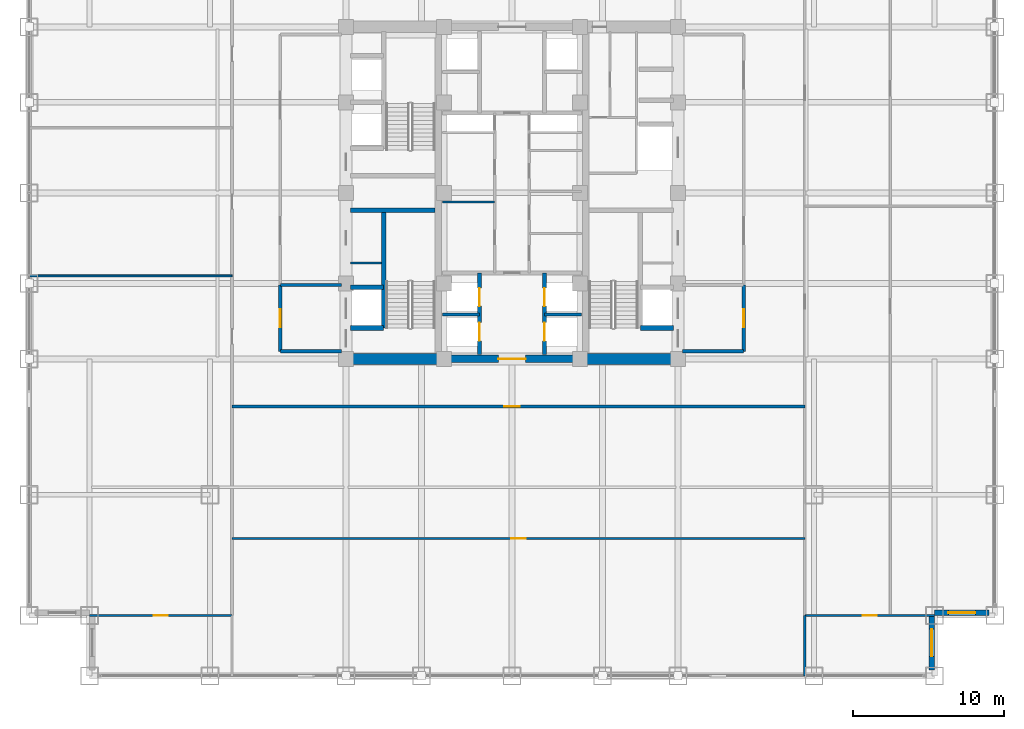
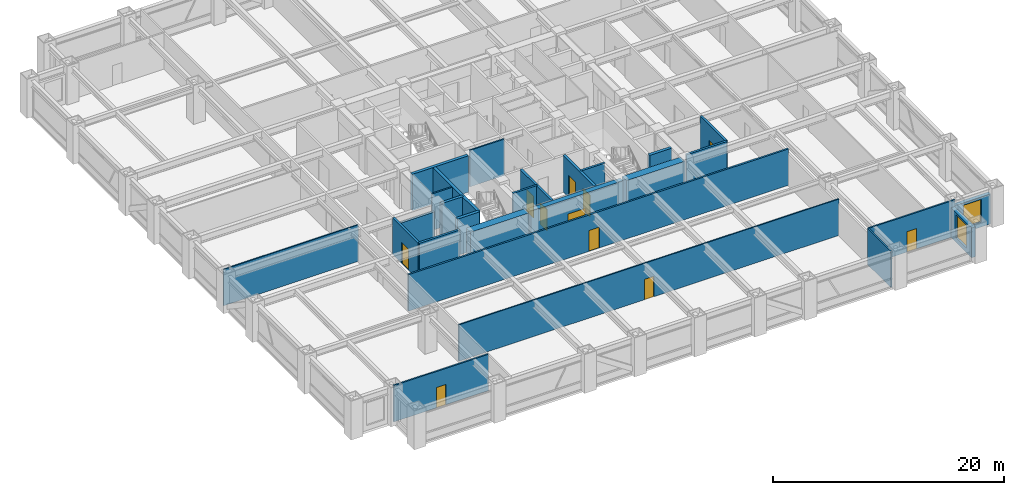
# One storey, part 23 of 28: 27 walls, 11 doors, 2 windows, 13 openings.
"""IFC4 building model written with IfcOpenShell, lengths in metres."""

from ifc_helpers import new_model, si_unit, direction, frame, frame_2d, origin, place, context, subcontext, project, spatial, rectangle, extrude, source, transform, mapped, material, layer, layer_set, type_object, element, fill, save


model = new_model("IFC4")

# Units and contexts
model_context = context("Model", 3, precision=1e-05, world=origin(), true_north=direction((0.0, 1.0)))
body_context = subcontext(model_context, "Body", "Model", "MODEL_VIEW")
ifc_project = project(units=[si_unit("LENGTHUNIT", "METRE"), si_unit("AREAUNIT", "SQUARE_METRE"), si_unit("VOLUMEUNIT", "CUBIC_METRE"), si_unit("PLANEANGLEUNIT", "RADIAN"), si_unit("MASSUNIT", "GRAM", prefix="KILO")], contexts=[model_context])

# Site, building, storey
site_placement = place(None, origin())
site = spatial("IfcSite", under=ifc_project, at=site_placement, CompositionType="ELEMENT")
building_placement = place(site_placement, origin())
building = spatial("IfcBuilding", under=site, at=building_placement, Name="Khorayat Bourse Tower", CompositionType="ELEMENT")
storey_placement = place(building_placement, frame((0.0, 0.0, 124.199951171875)))
storey = spatial("IfcBuildingStorey", under=building, at=storey_placement, Name="L28", CompositionType="ELEMENT", Elevation=124.199951171875)

# Walls
ifc_material_1 = material(Name="Concrete C72/90", Category="concrete")
ifc_layer_1 = layer(ifc_material_1, 0.75)
ifc_layer_set_1 = layer_set([ifc_layer_1], Name="Concrete C72/90")
wall_type_1 = type_object("IfcWallType", Name="WAL-CORE-750", PredefinedType="SHEAR", material=ifc_layer_set_1)
shared_shape_1 = source(origin(), body_context, "Body", "SweptSolid", [
    extrude(rectangle(XDim=5.849853515625, YDim=0.75, at=frame_2d((2.9248046875, 0.0))), origin(), (0.0, 0.0, 1.0), 3.840087890625),
])
for number, where, z_axis, x_axis, name in (
    (1, (-10.699951171875, -11.0, 0.0), (0.0, 0.0, 1.0), (1.0, 0.0, 0.0), "L28 Core Shear Wall PIER-WS"),
    (2, (4.85009765625, -11.0, 0.0), (0.0, 0.0, 1.0), (1.0, 0.0, 0.0), "L28 Core Shear Wall PIER-ES"),
):
    element("IfcWall", number, at=place(storey_placement, frame(where, z_axis=z_axis, x_axis=x_axis)), inside=storey, type_object=wall_type_1, Name=name, PredefinedType="SHEAR", context=body_context, shape_type="MappedRepresentation", body=[
        mapped(shared_shape_1, transform((0.0, 0.0, 0.0), scale=1.0)),
    ])
ifc_material_2 = material(Name="Concrete C50/60", Category="concrete")
ifc_layer_2 = layer(ifc_material_2, 0.300048828125)
ifc_layer_set_2 = layer_set([ifc_layer_2], Name="Concrete C50/60")
wall_type_2 = type_object("IfcWallType", Name="WAL-SHAFT-300", PredefinedType="SHEAR", material=ifc_layer_set_2)
shared_shape_2 = source(origin(), body_context, "Body", "SweptSolid", [
    extrude(rectangle(XDim=5.599853515625, YDim=0.300048828125, at=frame_2d((2.7998046875, 0.0))), origin(), (0.0, 0.0, 1.0), 3.840087890625),
])
wall_1_placement = place(storey_placement, frame((-10.699951171875, -1.14990234375, 0.0), z_axis=(0.0, 0.0, 1.0), x_axis=(1.0, 0.0, 0.0)))
element("IfcWall", 3, at=wall_1_placement, inside=storey, type_object=wall_type_2, Name="L28 Core Shear Wall ST1-DIV", PredefinedType="SHEAR", context=body_context, shape_type="MappedRepresentation", body=[
    mapped(shared_shape_2, transform((0.0, 0.0, 0.0), scale=1.0)),
])

# Wall, opening, door
ifc_material_3 = material(Name="Concrete C52/65", Category="concrete")
ifc_layer_3 = layer(ifc_material_3, 0.5)
ifc_layer_set_3 = layer_set([ifc_layer_3], Name="Concrete C52/65")
wall_type_3 = type_object("IfcWallType", Name="WAL-CORE-500", PredefinedType="SHEAR", material=ifc_layer_set_3)
shared_shape_3 = source(origin(), body_context, "Body", "SweptSolid", [
    extrude(rectangle(XDim=9.2001953125, YDim=0.5, at=frame_2d((4.60009765625, 0.0))), origin(), (0.0, 0.0, 1.0), 3.840087890625),
])
wall_2_placement = place(storey_placement, frame((-4.60009765625, -11.0, 0.0), z_axis=(0.0, 0.0, 1.0), x_axis=(1.0, 0.0, 0.0)))
wall_2 = element("IfcWall", 4, at=wall_2_placement, inside=storey, type_object=wall_type_3, Name="L28 Core Shear Wall CORE-S", PredefinedType="SHEAR", context=body_context, shape_type="MappedRepresentation", body=[
    mapped(shared_shape_3, transform((0.0, 0.0, 0.0), scale=1.0)),
])
shared_shape_4 = source(origin(), body_context, "Body", "SweptSolid", [
    extrude(rectangle(XDim=1.800048828125, YDim=2.25, at=frame_2d((0.89990234375, 1.125))), frame((0.0, 0.260009765625, 0.0), z_axis=(0.0, -1.0, 0.0), x_axis=(1.0, 0.0, 0.0)), (0.0, 0.0, 1.0), 0.52001953125),
])
opening_1_placement = place(wall_2_placement, frame((3.699951171875, 0.0, 0.0)))
opening_1 = element("IfcOpeningElement", 5, at=opening_1_placement, cuts=wall_2, Name="Opening DI-03", PredefinedType="OPENING", context=body_context, shape_type="MappedRepresentation", body=[
    mapped(shared_shape_4, transform((0.0, 0.0, 0.0), scale=1.0)),
])
ifc_material_4 = material(Name="Fire-rated hardwood vision-panel double leaf", Category="wood")
door_type_1 = type_object("IfcDoorType", Name="DR-INT-CORR-1800", OperationType="NOTDEFINED", PredefinedType="DOOR", material=ifc_material_4)
shared_shape_5 = source(origin(), body_context, "Body", "SweptSolid", [
    extrude(rectangle(XDim=1.800048828125, YDim=2.25, at=frame_2d((0.89990234375, 1.125))), frame((0.0, 0.02490234375, 0.0), z_axis=(0.0, -1.0, 0.0), x_axis=(1.0, 0.0, 0.0)), (0.0, 0.0, 1.0), 0.050048828125),
])
door_1_placement = place(opening_1_placement, origin())
door_1 = element("IfcDoor", 6, at=door_1_placement, inside=storey, type_object=door_type_1, Name="L28 Low-Rise Lift Lobby Door", OperationType="SINGLE_SWING_LEFT", OverallHeight=2.25, OverallWidth=1.800048828125, PredefinedType="DOOR", context=body_context, shape_type="MappedRepresentation", body=[
    mapped(shared_shape_5, transform((0.0, 0.0, 0.0), scale=1.0)),
])
fill(opening_1, door_1)

# Wall, opening, window
ifc_material_5 = material(Name="Precast concrete C45/55", Category="concrete")
ifc_layer_4 = layer(ifc_material_5, 0.3798828125)
ifc_layer_set_4 = layer_set([ifc_layer_4], Name="Precast concrete C45/55")
wall_type_4 = type_object("IfcWallType", Name="WAL-EXT-STONE-380", PredefinedType="STANDARD", material=ifc_layer_set_4)
shared_shape_6 = source(origin(), body_context, "Body", "SweptSolid", [
    extrude(rectangle(XDim=3.6201171875, YDim=0.3798828125, at=frame_2d((1.81005859375, 0.0))), origin(), (0.0, 0.0, 1.0), 3.14501953125),
])
wall_3_placement = place(storey_placement, frame((27.81005859375, -31.6201171875, 0.0), z_axis=(0.0, 0.0, 1.0), x_axis=(0.0, 1.0, 0.0)))
wall_3 = element("IfcWall", 7, at=wall_3_placement, inside=storey, type_object=wall_type_4, Name="L28 Re-Entrant Notch Limestone Wall SE-V", PredefinedType="STANDARD", context=body_context, shape_type="MappedRepresentation", body=[
    mapped(shared_shape_6, transform((0.0, 0.0, 0.0), scale=1.0)),
])
shared_shape_7 = source(origin(), body_context, "Body", "SweptSolid", [
    extrude(rectangle(XDim=1.800048828125, YDim=2.39990234375, at=frame_2d((0.89990234375, 1.199951171875))), frame((0.0, 0.199951171875, 0.0), z_axis=(0.0, -1.0, 0.0), x_axis=(1.0, 0.0, 0.0)), (0.0, 0.0, 1.0), 0.39990234375),
])
opening_2_placement = place(wall_3_placement, frame((0.909912109375, 0.0, 0.5)))
opening_2 = element("IfcOpeningElement", 8, at=opening_2_placement, cuts=wall_3, Name="Opening WN-04", PredefinedType="OPENING", context=body_context, shape_type="MappedRepresentation", body=[
    mapped(shared_shape_7, transform((0.0, 0.0, 0.0), scale=1.0)),
])
ifc_material_6 = material(Name="Low-E acoustic laminated double glazing", Category="glass")
window_type = type_object("IfcWindowType", Name="WIN-NOTCH-1800x2400", PartitioningType="SINGLE_PANEL", PredefinedType="WINDOW", material=ifc_material_6)
shared_shape_8 = source(origin(), body_context, "Body", "SweptSolid", [
    extrude(rectangle(XDim=1.800048828125, YDim=2.39990234375, at=frame_2d((0.89990234375, 1.199951171875))), frame((0.0, 0.030029296875, 0.0), z_axis=(0.0, -1.0, 0.0), x_axis=(1.0, 0.0, 0.0)), (0.0, 0.0, 1.0), 0.06005859375),
])
window_1_placement = place(opening_2_placement, origin())
window_1 = element("IfcWindow", 9, at=window_1_placement, inside=storey, type_object=window_type, Name="L28 Facade Window 1", OverallHeight=2.39990234375, OverallWidth=1.800048828125, PartitioningType="SINGLE_PANEL", PredefinedType="WINDOW", context=body_context, shape_type="MappedRepresentation", body=[
    mapped(shared_shape_8, transform((0.0, 0.0, 0.0), scale=1.0)),
])
fill(opening_2, window_1)

wall_4_placement = place(storey_placement, frame((28.0, -27.81005859375, 0.0), z_axis=(0.0, 0.0, 1.0), x_axis=(1.0, 0.0, 0.0)))
wall_4 = element("IfcWall", 10, at=wall_4_placement, inside=storey, type_object=wall_type_4, Name="L28 Re-Entrant Notch Limestone Wall SE-H", PredefinedType="STANDARD", context=body_context, shape_type="MappedRepresentation", body=[
    mapped(shared_shape_6, transform((0.0, 0.0, 0.0), scale=1.0)),
])
opening_3_placement = place(wall_4_placement, frame((0.909912109375, 0.0, 0.5)))
opening_3 = element("IfcOpeningElement", 11, at=opening_3_placement, cuts=wall_4, Name="Opening WN-04", PredefinedType="OPENING", context=body_context, shape_type="MappedRepresentation", body=[
    mapped(shared_shape_7, transform((0.0, 0.0, 0.0), scale=1.0)),
])
window_2_placement = place(opening_3_placement, origin())
window_2 = element("IfcWindow", 12, at=window_2_placement, inside=storey, type_object=window_type, Name="L28 Facade Window 1", OverallHeight=2.39990234375, OverallWidth=1.800048828125, PartitioningType="SINGLE_PANEL", PredefinedType="WINDOW", context=body_context, shape_type="MappedRepresentation", body=[
    mapped(shared_shape_8, transform((0.0, 0.0, 0.0), scale=1.0)),
])
fill(opening_3, window_2)

# Walls
shared_shape_9 = source(origin(), body_context, "Body", "SweptSolid", [
    extrude(rectangle(XDim=7.800048828125, YDim=0.300048828125, at=frame_2d((3.89990234375, 0.0))), origin(), (0.0, 0.0, 1.0), 3.840087890625),
])
wall_5_placement = place(storey_placement, frame((-8.5, -8.949951171875, 0.0), z_axis=(0.0, 0.0, 1.0), x_axis=(0.0, 1.0, 0.0)))
element("IfcWall", 13, at=wall_5_placement, inside=storey, type_object=wall_type_2, Name="L28 Partition WAL-L28-WPIER-SP", PredefinedType="SHEAR", context=body_context, shape_type="MappedRepresentation", body=[
    mapped(shared_shape_9, transform((0.0, 0.0, 0.0), scale=1.0)),
])
shared_shape_10 = source(origin(), body_context, "Body", "SweptSolid", [
    extrude(rectangle(XDim=2.199951171875, YDim=0.300048828125, at=frame_2d((1.10009765625, 0.0))), origin(), (0.0, 0.0, 1.0), 3.840087890625),
])
for number, where, z_axis, x_axis, name in (
    (14, (-10.699951171875, -8.949951171875, 0.0), (0.0, 0.0, 1.0), (1.0, 0.0, 0.0), "L28 Partition WAL-L28-WPIER-FF1S"),
    (15, (-10.699951171875, -6.25, 0.0), (0.0, 0.0, 1.0), (1.0, 0.0, 0.0), "L28 Partition WAL-L28-WPIER-FF1N"),
    (16, (8.5, -8.949951171875, 0.0), (0.0, 0.0, 1.0), (1.0, 0.0, 0.0), "L28 Partition WAL-L28-EPIER-FF2S"),
):
    element("IfcWall", number, at=place(storey_placement, frame(where, z_axis=z_axis, x_axis=x_axis)), inside=storey, type_object=wall_type_2, Name=name, PredefinedType="SHEAR", context=body_context, shape_type="MappedRepresentation", body=[
        mapped(shared_shape_10, transform((0.0, 0.0, 0.0), scale=1.0)),
    ])
ifc_material_7 = material(Name="Gypsum plasterboard twin-frame partition")
ifc_layer_5 = layer(ifc_material_7, 0.14990234375)
ifc_layer_set_5 = layer_set([ifc_layer_5], Name="Gypsum plasterboard twin-frame partition")
wall_type_5 = type_object("IfcWallType", Name="WAL-PART-SUITE-150", PredefinedType="PARTITIONING", material=ifc_layer_set_5)
shared_shape_11 = source(origin(), body_context, "Body", "SweptSolid", [
    extrude(rectangle(XDim=2.050048828125, YDim=0.14990234375, at=frame_2d((1.02490234375, 0.0))), origin(), (0.0, 0.0, 1.0), 3.840087890625),
])
wall_6_placement = place(storey_placement, frame((-10.699951171875, -4.64990234375, 0.0), z_axis=(0.0, 0.0, 1.0), x_axis=(1.0, 0.0, 0.0)))
element("IfcWall", 17, at=wall_6_placement, inside=storey, type_object=wall_type_5, Name="L28 Partition WAL-L28-WSRV-S0", PredefinedType="PARTITIONING", context=body_context, shape_type="MappedRepresentation", body=[
    mapped(shared_shape_11, transform((0.0, 0.0, 0.0), scale=1.0)),
])
ifc_material_8 = material(Name="Aerated concrete blockwork", Category="masonry")
ifc_layer_6 = layer(ifc_material_8, 0.219970703125)
ifc_layer_set_6 = layer_set([ifc_layer_6], Name="Aerated concrete blockwork")
wall_type_6 = type_object("IfcWallType", Name="WAL-PART-FF-220", PredefinedType="PARTITIONING", material=ifc_layer_set_6)
shared_shape_12 = source(origin(), body_context, "Body", "SweptSolid", [
    extrude(rectangle(XDim=4.050048828125, YDim=0.219970703125, at=frame_2d((2.02490234375, 0.0))), origin(), (0.0, 0.0, 1.0), 3.840087890625),
])
for number, where, z_axis, x_axis, name in (
    (18, (-15.35009765625, -10.5, 0.0), (0.0, 0.0, 1.0), (1.0, 0.0, 0.0), "L28 Partition WAL-L28-FFLW-S"),
    (19, (11.300048828125, -10.5, 0.0), (0.0, 0.0, 1.0), (1.0, 0.0, 0.0), "L28 Partition WAL-L28-FFLE-S"),
):
    element("IfcWall", number, at=place(storey_placement, frame(where, z_axis=z_axis, x_axis=x_axis)), inside=storey, type_object=wall_type_6, Name=name, PredefinedType="PARTITIONING", context=body_context, shape_type="MappedRepresentation", body=[
        mapped(shared_shape_12, transform((0.0, 0.0, 0.0), scale=1.0)),
    ])
shared_shape_13 = source(origin(), body_context, "Body", "SweptSolid", [
    extrude(rectangle(XDim=4.050048828125, YDim=0.219970703125, at=frame_2d((2.02490234375, 0.0))), origin(), (0.0, 0.0, 1.0), 3.067138671875),
])
wall_7_placement = place(storey_placement, frame((-15.35009765625, -6.10009765625, 0.0), z_axis=(0.0, 0.0, 1.0), x_axis=(1.0, 0.0, 0.0)))
element("IfcWall", 20, at=wall_7_placement, inside=storey, type_object=wall_type_6, Name="L28 Partition WAL-L28-FFLW-N", PredefinedType="PARTITIONING", context=body_context, shape_type="MappedRepresentation", body=[
    mapped(shared_shape_13, transform((0.0, 0.0, 0.0), scale=1.0)),
])

# Wall, opening, door
shared_shape_14 = source(origin(), body_context, "Body", "SweptSolid", [
    extrude(rectangle(XDim=4.39990234375, YDim=0.219970703125, at=frame_2d((2.199951171875, 0.0))), origin(), (0.0, 0.0, 1.0), 3.840087890625),
])
wall_8_placement = place(storey_placement, frame((-15.35009765625, -10.5, 0.0), z_axis=(0.0, 0.0, 1.0), x_axis=(0.0, 1.0, 0.0)))
wall_8 = element("IfcWall", 21, at=wall_8_placement, inside=storey, type_object=wall_type_6, Name="L28 Partition WAL-L28-FFLW-W", PredefinedType="PARTITIONING", context=body_context, shape_type="MappedRepresentation", body=[
    mapped(shared_shape_14, transform((0.0, 0.0, 0.0), scale=1.0)),
])
shared_shape_15 = source(origin(), body_context, "Body", "SweptSolid", [
    extrude(rectangle(XDim=1.199951171875, YDim=2.199951171875, at=frame_2d((0.60009765625, 1.10009765625))), frame((0.0, 0.119873046875, 0.0), z_axis=(0.0, -1.0, 0.0), x_axis=(1.0, 0.0, 0.0)), (0.0, 0.0, 1.0), 0.239990234375),
])
opening_4_placement = place(wall_8_placement, frame((1.60009765625, 0.0, 0.0)))
opening_4 = element("IfcOpeningElement", 22, at=opening_4_placement, cuts=wall_8, Name="Opening DI-02", PredefinedType="OPENING", context=body_context, shape_type="MappedRepresentation", body=[
    mapped(shared_shape_15, transform((0.0, 0.0, 0.0), scale=1.0)),
])
ifc_material_9 = material(Name="Fire-rated steel double-seal leaf", Category="steel")
door_type_2 = type_object("IfcDoorType", Name="DR-INT-FFLOBBY-1200", OperationType="NOTDEFINED", PredefinedType="DOOR", material=ifc_material_9)
shared_shape_16 = source(origin(), body_context, "Body", "SweptSolid", [
    extrude(rectangle(XDim=1.199951171875, YDim=2.199951171875, at=frame_2d((0.60009765625, 1.10009765625))), frame((0.0, 0.02490234375, 0.0), z_axis=(0.0, -1.0, 0.0), x_axis=(1.0, 0.0, 0.0)), (0.0, 0.0, 1.0), 0.050048828125),
])
door_2_placement = place(opening_4_placement, origin())
door_2 = element("IfcDoor", 23, at=door_2_placement, inside=storey, type_object=door_type_2, Name="L28 West Firefighting Lobby Door", OperationType="SINGLE_SWING_LEFT", OverallHeight=2.199951171875, OverallWidth=1.199951171875, PredefinedType="DOOR", context=body_context, shape_type="MappedRepresentation", body=[
    mapped(shared_shape_16, transform((0.0, 0.0, 0.0), scale=1.0)),
])
fill(opening_4, door_2)

wall_9_placement = place(storey_placement, frame((15.35009765625, -10.5, 0.0), z_axis=(0.0, 0.0, 1.0), x_axis=(0.0, 1.0, 0.0)))
wall_9 = element("IfcWall", 24, at=wall_9_placement, inside=storey, type_object=wall_type_6, Name="L28 Partition WAL-L28-FFLE-E", PredefinedType="PARTITIONING", context=body_context, shape_type="MappedRepresentation", body=[
    mapped(shared_shape_14, transform((0.0, 0.0, 0.0), scale=1.0)),
])
opening_5_placement = place(wall_9_placement, frame((1.60009765625, 0.0, 0.0)))
opening_5 = element("IfcOpeningElement", 25, at=opening_5_placement, cuts=wall_9, Name="Opening DI-02", PredefinedType="OPENING", context=body_context, shape_type="MappedRepresentation", body=[
    mapped(shared_shape_15, transform((0.0, 0.0, 0.0), scale=1.0)),
])
door_3_placement = place(opening_5_placement, origin())
door_3 = element("IfcDoor", 26, at=door_3_placement, inside=storey, type_object=door_type_2, Name="L28 East Firefighting Lobby Door", OperationType="SINGLE_SWING_RIGHT", OverallHeight=2.199951171875, OverallWidth=1.199951171875, PredefinedType="DOOR", context=body_context, shape_type="MappedRepresentation", body=[
    mapped(shared_shape_16, transform((0.0, 0.0, 0.0), scale=1.0)),
])
fill(opening_5, door_3)

# Wall, openings, doors
shared_shape_17 = source(origin(), body_context, "Body", "SweptSolid", [
    extrude(rectangle(XDim=5.39990234375, YDim=0.25, at=frame_2d((2.699951171875, 0.0))), origin(), (0.0, 0.0, 1.0), 3.840087890625),
])
wall_10_placement = place(storey_placement, frame((-2.14990234375, -10.699951171875, 0.0), z_axis=(0.0, 0.0, 1.0), x_axis=(0.0, 1.0, 0.0)))
wall_10 = element("IfcWall", 27, at=wall_10_placement, inside=storey, type_object=wall_type_2, Name="L28 Partition WAL-L28-B1-W", PredefinedType="SHEAR", context=body_context, shape_type="MappedRepresentation", body=[
    mapped(shared_shape_17, transform((0.0, 0.0, 0.0), scale=1.0)),
])
shared_shape_18 = source(origin(), body_context, "Body", "SweptSolid", [
    extrude(rectangle(XDim=1.199951171875, YDim=2.300048828125, at=frame_2d((0.60009765625, 1.14990234375))), frame((0.0, 0.135009765625, 0.0), z_axis=(0.0, -1.0, 0.0), x_axis=(1.0, 0.0, 0.0)), (0.0, 0.0, 1.0), 0.27001953125),
])
opening_6_placement = place(wall_10_placement, frame((0.89990234375, 0.0, 0.0)))
opening_6 = element("IfcOpeningElement", 28, at=opening_6_placement, cuts=wall_10, Name="Opening LD-01", PredefinedType="OPENING", context=body_context, shape_type="MappedRepresentation", body=[
    mapped(shared_shape_18, transform((0.0, 0.0, 0.0), scale=1.0)),
])
opening_7_placement = place(wall_10_placement, frame((3.199951171875, 0.0, 0.0)))
opening_7 = element("IfcOpeningElement", 29, at=opening_7_placement, cuts=wall_10, Name="Opening LD-01", PredefinedType="OPENING", context=body_context, shape_type="MappedRepresentation", body=[
    mapped(shared_shape_18, transform((0.0, 0.0, 0.0), scale=1.0)),
])
ifc_material_10 = material(Name="Brushed bronze stainless-steel sliding door", Category="steel")
door_type_3 = type_object("IfcDoorType", Name="DR-LIFT-PASS-1200", OperationType="NOTDEFINED", PredefinedType="DOOR", material=ifc_material_10)
shared_shape_19 = source(origin(), body_context, "Body", "SweptSolid", [
    extrude(rectangle(XDim=1.199951171875, YDim=2.300048828125, at=frame_2d((0.60009765625, 1.14990234375))), frame((0.0, 0.02490234375, 0.0), z_axis=(0.0, -1.0, 0.0), x_axis=(1.0, 0.0, 0.0)), (0.0, 0.0, 1.0), 0.050048828125),
])
door_4_placement = place(opening_6_placement, origin())
door_4 = element("IfcDoor", 30, at=door_4_placement, inside=storey, type_object=door_type_3, Name="L28 Lift PL-L1 Sliding Landing Door", OperationType="SLIDING_TO_LEFT", OverallHeight=2.300048828125, OverallWidth=1.199951171875, PredefinedType="DOOR", context=body_context, shape_type="MappedRepresentation", body=[
    mapped(shared_shape_19, transform((0.0, 0.0, 0.0), scale=1.0)),
])
fill(opening_6, door_4)
door_5_placement = place(opening_7_placement, origin())
door_5 = element("IfcDoor", 31, at=door_5_placement, inside=storey, type_object=door_type_3, Name="L28 Lift PL-L3 Sliding Landing Door", OperationType="SLIDING_TO_LEFT", OverallHeight=2.300048828125, OverallWidth=1.199951171875, PredefinedType="DOOR", context=body_context, shape_type="MappedRepresentation", body=[
    mapped(shared_shape_19, transform((0.0, 0.0, 0.0), scale=1.0)),
])
fill(opening_7, door_5)

wall_11_placement = place(storey_placement, frame((2.14990234375, -10.699951171875, 0.0), z_axis=(0.0, 0.0, 1.0), x_axis=(0.0, 1.0, 0.0)))
wall_11 = element("IfcWall", 32, at=wall_11_placement, inside=storey, type_object=wall_type_2, Name="L28 Partition WAL-L28-B1-E", PredefinedType="SHEAR", context=body_context, shape_type="MappedRepresentation", body=[
    mapped(shared_shape_17, transform((0.0, 0.0, 0.0), scale=1.0)),
])
opening_8_placement = place(wall_11_placement, frame((0.89990234375, 0.0, 0.0)))
opening_8 = element("IfcOpeningElement", 33, at=opening_8_placement, cuts=wall_11, Name="Opening LD-01", PredefinedType="OPENING", context=body_context, shape_type="MappedRepresentation", body=[
    mapped(shared_shape_18, transform((0.0, 0.0, 0.0), scale=1.0)),
])
opening_9_placement = place(wall_11_placement, frame((3.199951171875, 0.0, 0.0)))
opening_9 = element("IfcOpeningElement", 34, at=opening_9_placement, cuts=wall_11, Name="Opening LD-01", PredefinedType="OPENING", context=body_context, shape_type="MappedRepresentation", body=[
    mapped(shared_shape_18, transform((0.0, 0.0, 0.0), scale=1.0)),
])
door_6_placement = place(opening_8_placement, origin())
door_6 = element("IfcDoor", 35, at=door_6_placement, inside=storey, type_object=door_type_3, Name="L28 Lift PL-L2 Sliding Landing Door", OperationType="SLIDING_TO_LEFT", OverallHeight=2.300048828125, OverallWidth=1.199951171875, PredefinedType="DOOR", context=body_context, shape_type="MappedRepresentation", body=[
    mapped(shared_shape_19, transform((0.0, 0.0, 0.0), scale=1.0)),
])
fill(opening_8, door_6)
door_7_placement = place(opening_9_placement, origin())
door_7 = element("IfcDoor", 36, at=door_7_placement, inside=storey, type_object=door_type_3, Name="L28 Lift PL-L4 Sliding Landing Door", OperationType="SLIDING_TO_LEFT", OverallHeight=2.300048828125, OverallWidth=1.199951171875, PredefinedType="DOOR", context=body_context, shape_type="MappedRepresentation", body=[
    mapped(shared_shape_19, transform((0.0, 0.0, 0.0), scale=1.0)),
])
fill(opening_9, door_7)

# Walls
shared_shape_20 = source(origin(), body_context, "Body", "SweptSolid", [
    extrude(rectangle(XDim=2.4501953125, YDim=0.199951171875, at=frame_2d((1.22509765625, 0.0))), origin(), (0.0, 0.0, 1.0), 3.840087890625),
])
for number, where, z_axis, x_axis, name in (
    (37, (-4.60009765625, -8.050048828125, 0.0), (0.0, 0.0, 1.0), (1.0, 0.0, 0.0), "L28 Partition WAL-L28-B1-MW"),
    (38, (2.14990234375, -8.050048828125, 0.0), (0.0, 0.0, 1.0), (1.0, 0.0, 0.0), "L28 Partition WAL-L28-B1-ME"),
):
    element("IfcWall", number, at=place(storey_placement, frame(where, z_axis=z_axis, x_axis=x_axis)), inside=storey, type_object=wall_type_2, Name=name, PredefinedType="SHEAR", context=body_context, shape_type="MappedRepresentation", body=[
        mapped(shared_shape_20, transform((0.0, 0.0, 0.0), scale=1.0)),
    ])
ifc_material_11 = material(Name="Moisture-resistant masonry partition", Category="masonry")
ifc_layer_7 = layer(ifc_material_11, 0.139892578125)
ifc_layer_set_7 = layer_set([ifc_layer_7], Name="Moisture-resistant masonry partition")
wall_type_7 = type_object("IfcWallType", Name="WAL-PART-WET-140", PredefinedType="PARTITIONING", material=ifc_layer_set_7)
shared_shape_21 = source(origin(), body_context, "Body", "SweptSolid", [
    extrude(rectangle(XDim=3.4501953125, YDim=0.139892578125, at=frame_2d((1.72509765625, 0.0))), origin(), (0.0, 0.0, 1.0), 3.840087890625),
])
wall_12_placement = place(storey_placement, frame((-4.60009765625, -0.60009765625, 0.0), z_axis=(0.0, 0.0, 1.0), x_axis=(1.0, 0.0, 0.0)))
element("IfcWall", 39, at=wall_12_placement, inside=storey, type_object=wall_type_7, Name="L28 Partition WAL-L28-CMW-D1", PredefinedType="PARTITIONING", context=body_context, shape_type="MappedRepresentation", body=[
    mapped(shared_shape_21, transform((0.0, 0.0, 0.0), scale=1.0)),
])
shared_shape_22 = source(origin(), body_context, "Body", "SweptSolid", [
    extrude(rectangle(XDim=4.0, YDim=0.14990234375, at=frame_2d((2.0, 0.0))), origin(), (0.0, 0.0, 1.0), 3.840087890625),
])
wall_13_placement = place(storey_placement, frame((19.39990234375, -32.0, 0.0), z_axis=(0.0, 0.0, 1.0), x_axis=(0.0, 1.0, 0.0)))
element("IfcWall", 40, at=wall_13_placement, inside=storey, type_object=wall_type_5, Name="L28 Partition WAL-L28-SCE-END", PredefinedType="PARTITIONING", context=body_context, shape_type="MappedRepresentation", body=[
    mapped(shared_shape_22, transform((0.0, 0.0, 0.0), scale=1.0)),
])

# Wall, opening, door
shared_shape_23 = source(origin(), body_context, "Body", "SweptSolid", [
    extrude(rectangle(XDim=8.60009765625, YDim=0.14990234375, at=frame_2d((4.300048828125, 0.0))), origin(), (0.0, 0.0, 1.0), 3.840087890625),
])
wall_14_placement = place(storey_placement, frame((19.39990234375, -28.0, 0.0), z_axis=(0.0, 0.0, 1.0), x_axis=(1.0, 0.0, 0.0)))
wall_14 = element("IfcWall", 41, at=wall_14_placement, inside=storey, type_object=wall_type_5, Name="L28 Partition WAL-L28-CSE", PredefinedType="PARTITIONING", context=body_context, shape_type="MappedRepresentation", body=[
    mapped(shared_shape_23, transform((0.0, 0.0, 0.0), scale=1.0)),
])
shared_shape_24 = source(origin(), body_context, "Body", "SweptSolid", [
    extrude(rectangle(XDim=0.949951171875, YDim=2.14990234375, at=frame_2d((0.47509765625, 1.074951171875))), frame((0.0, 0.0849609375, 0.0), z_axis=(0.0, -1.0, 0.0), x_axis=(1.0, 0.0, 0.0)), (0.0, 0.0, 1.0), 0.169921875),
])
opening_10_placement = place(wall_14_placement, frame((3.824951171875, 0.0, 0.0)))
opening_10 = element("IfcOpeningElement", 42, at=opening_10_placement, cuts=wall_14, Name="Opening DI-05", PredefinedType="OPENING", context=body_context, shape_type="MappedRepresentation", body=[
    mapped(shared_shape_24, transform((0.0, 0.0, 0.0), scale=1.0)),
])
ifc_material_12 = material(Name="Acoustic oak veneer office door")
door_type_4 = type_object("IfcDoorType", Name="DR-INT-OFFICE-950", OperationType="NOTDEFINED", PredefinedType="DOOR", material=ifc_material_12)
shared_shape_25 = source(origin(), body_context, "Body", "SweptSolid", [
    extrude(rectangle(XDim=0.949951171875, YDim=2.14990234375, at=frame_2d((0.47509765625, 1.074951171875))), frame((0.0, 0.02490234375, 0.0), z_axis=(0.0, -1.0, 0.0), x_axis=(1.0, 0.0, 0.0)), (0.0, 0.0, 1.0), 0.050048828125),
])
door_8_placement = place(opening_10_placement, origin())
door_8 = element("IfcDoor", 43, at=door_8_placement, inside=storey, type_object=door_type_4, Name="L28 South-East Corner Briefing Room Door", OperationType="SINGLE_SWING_LEFT", OverallHeight=2.14990234375, OverallWidth=0.949951171875, PredefinedType="DOOR", context=body_context, shape_type="MappedRepresentation", body=[
    mapped(shared_shape_25, transform((0.0, 0.0, 0.0), scale=1.0)),
])
fill(opening_10, door_8)

# Wall
ifc_material_13 = material(Name="Gypsum plasterboard partition")
ifc_layer_8 = layer(ifc_material_13, 0.125)
ifc_layer_set_8 = layer_set([ifc_layer_8], Name="Gypsum plasterboard partition")
wall_type_8 = type_object("IfcWallType", Name="WAL-PART-ROOM-125", PredefinedType="PARTITIONING", material=ifc_layer_set_8)
shared_shape_26 = source(origin(), body_context, "Body", "SweptSolid", [
    extrude(rectangle(XDim=13.449951171875, YDim=0.125, at=frame_2d((6.72509765625, 0.0))), origin(), (0.0, 0.0, 1.0), 3.840087890625),
])
wall_15_placement = place(storey_placement, frame((-32.0, -5.4951171875, 0.0), z_axis=(0.0, 0.0, 1.0), x_axis=(1.0, 0.0, 0.0)))
element("IfcWall", 44, at=wall_15_placement, inside=storey, type_object=wall_type_8, Name="L28 Partition WAL-L28-WDV-1", PredefinedType="PARTITIONING", context=body_context, shape_type="MappedRepresentation", body=[
    mapped(shared_shape_26, transform((0.0, 0.0, 0.0), scale=1.0)),
])

# Wall, opening, door
shared_shape_27 = source(origin(), body_context, "Body", "SweptSolid", [
    extrude(rectangle(XDim=9.449951171875, YDim=0.14990234375, at=frame_2d((4.72509765625, 0.0))), origin(), (0.0, 0.0, 1.0), 3.840087890625),
])
wall_16_placement = place(storey_placement, frame((-28.0, -28.0, 0.0), z_axis=(0.0, 0.0, 1.0), x_axis=(1.0, 0.0, 0.0)))
wall_16 = element("IfcWall", 45, at=wall_16_placement, inside=storey, type_object=wall_type_5, Name="L28 Partition WAL-L28-CSW", PredefinedType="PARTITIONING", context=body_context, shape_type="MappedRepresentation", body=[
    mapped(shared_shape_27, transform((0.0, 0.0, 0.0), scale=1.0)),
])
opening_11_placement = place(wall_16_placement, frame((4.25, 0.0, 0.0)))
opening_11 = element("IfcOpeningElement", 46, at=opening_11_placement, cuts=wall_16, Name="Opening DI-05", PredefinedType="OPENING", context=body_context, shape_type="MappedRepresentation", body=[
    mapped(shared_shape_24, transform((0.0, 0.0, 0.0), scale=1.0)),
])
door_9_placement = place(opening_11_placement, origin())
door_9 = element("IfcDoor", 47, at=door_9_placement, inside=storey, type_object=door_type_4, Name="L28 South-West Corner Office Door", OperationType="SINGLE_SWING_LEFT", OverallHeight=2.14990234375, OverallWidth=0.949951171875, PredefinedType="DOOR", context=body_context, shape_type="MappedRepresentation", body=[
    mapped(shared_shape_25, transform((0.0, 0.0, 0.0), scale=1.0)),
])
fill(opening_11, door_9)

shared_shape_28 = source(origin(), body_context, "Body", "SweptSolid", [
    extrude(rectangle(XDim=37.949951171875, YDim=0.125, at=frame_2d((18.97509765625, 0.0))), origin(), (0.0, 0.0, 1.0), 3.840087890625),
])
wall_17_placement = place(storey_placement, frame((-18.550048828125, -22.896484375, 0.0), z_axis=(0.0, 0.0, 1.0), x_axis=(1.0, 0.0, 0.0)))
wall_17 = element("IfcWall", 48, at=wall_17_placement, inside=storey, type_object=wall_type_8, Name="L28 Partition WAL-L28-SDP-1", PredefinedType="PARTITIONING", context=body_context, shape_type="MappedRepresentation", body=[
    mapped(shared_shape_28, transform((0.0, 0.0, 0.0), scale=1.0)),
])
shared_shape_29 = source(origin(), body_context, "Body", "SweptSolid", [
    extrude(rectangle(XDim=0.949951171875, YDim=2.14990234375, at=frame_2d((0.47509765625, 1.074951171875))), frame((0.0, 0.072509765625, 0.0), z_axis=(0.0, -1.0, 0.0), x_axis=(1.0, 0.0, 0.0)), (0.0, 0.0, 1.0), 0.14501953125),
])
opening_12_placement = place(wall_17_placement, frame((18.5, 0.0, 0.0)))
opening_12 = element("IfcOpeningElement", 49, at=opening_12_placement, cuts=wall_17, Name="Opening DI-05", PredefinedType="OPENING", context=body_context, shape_type="MappedRepresentation", body=[
    mapped(shared_shape_29, transform((0.0, 0.0, 0.0), scale=1.0)),
])
door_10_placement = place(opening_12_placement, origin())
door_10 = element("IfcDoor", 50, at=door_10_placement, inside=storey, type_object=door_type_4, Name="L28 Clearing Operations Office S1B Door", OperationType="SINGLE_SWING_RIGHT", OverallHeight=2.14990234375, OverallWidth=0.949951171875, PredefinedType="DOOR", context=body_context, shape_type="MappedRepresentation", body=[
    mapped(shared_shape_25, transform((0.0, 0.0, 0.0), scale=1.0)),
])
fill(opening_12, door_10)

ifc_material_14 = material(Name="Gypsum plasterboard acoustic stud wall")
ifc_layer_9 = layer(ifc_material_14, 0.179931640625)
ifc_layer_set_9 = layer_set([ifc_layer_9], Name="Gypsum plasterboard acoustic stud wall")
wall_type_9 = type_object("IfcWallType", Name="WAL-PART-CORR-180", PredefinedType="PARTITIONING", material=ifc_layer_set_9)
shared_shape_30 = source(origin(), body_context, "Body", "SweptSolid", [
    extrude(rectangle(XDim=37.949951171875, YDim=0.179931640625, at=frame_2d((18.97509765625, 0.0))), origin(), (0.0, 0.0, 1.0), 3.840087890625),
])
wall_18_placement = place(storey_placement, frame((-18.550048828125, -14.14990234375, 0.0), z_axis=(0.0, 0.0, 1.0), x_axis=(1.0, 0.0, 0.0)))
wall_18 = element("IfcWall", 51, at=wall_18_placement, inside=storey, type_object=wall_type_9, Name="L28 Partition WAL-L28-SCORR", PredefinedType="PARTITIONING", context=body_context, shape_type="MappedRepresentation", body=[
    mapped(shared_shape_30, transform((0.0, 0.0, 0.0), scale=1.0)),
])
shared_shape_31 = source(origin(), body_context, "Body", "SweptSolid", [
    extrude(rectangle(XDim=1.050048828125, YDim=2.199951171875, at=frame_2d((0.52490234375, 1.10009765625))), frame((0.0, 0.099853515625, 0.0), z_axis=(0.0, -1.0, 0.0), x_axis=(1.0, 0.0, 0.0)), (0.0, 0.0, 1.0), 0.199951171875),
])
opening_13_placement = place(wall_18_placement, frame((18.02490234375, 0.0, 0.0)))
opening_13 = element("IfcOpeningElement", 52, at=opening_13_placement, cuts=wall_18, Name="Opening DI-04", PredefinedType="OPENING", context=body_context, shape_type="MappedRepresentation", body=[
    mapped(shared_shape_31, transform((0.0, 0.0, 0.0), scale=1.0)),
])
ifc_material_15 = material(Name="Fire-rated oak veneer suite entrance door")
door_type_5 = type_object("IfcDoorType", Name="DR-INT-SUITE-1050", OperationType="NOTDEFINED", PredefinedType="DOOR", material=ifc_material_15)
shared_shape_32 = source(origin(), body_context, "Body", "SweptSolid", [
    extrude(rectangle(XDim=1.050048828125, YDim=2.199951171875, at=frame_2d((0.52490234375, 1.10009765625))), frame((0.0, 0.02490234375, 0.0), z_axis=(0.0, -1.0, 0.0), x_axis=(1.0, 0.0, 0.0)), (0.0, 0.0, 1.0), 0.050048828125),
])
door_11_placement = place(opening_13_placement, origin())
door_11 = element("IfcDoor", 53, at=door_11_placement, inside=storey, type_object=door_type_5, Name="L28 Equities Trading Desk S1 Door", OperationType="SINGLE_SWING_RIGHT", OverallHeight=2.199951171875, OverallWidth=1.050048828125, PredefinedType="DOOR", context=body_context, shape_type="MappedRepresentation", body=[
    mapped(shared_shape_32, transform((0.0, 0.0, 0.0), scale=1.0)),
])
fill(opening_13, door_11)

save(model, "model.ifc")
